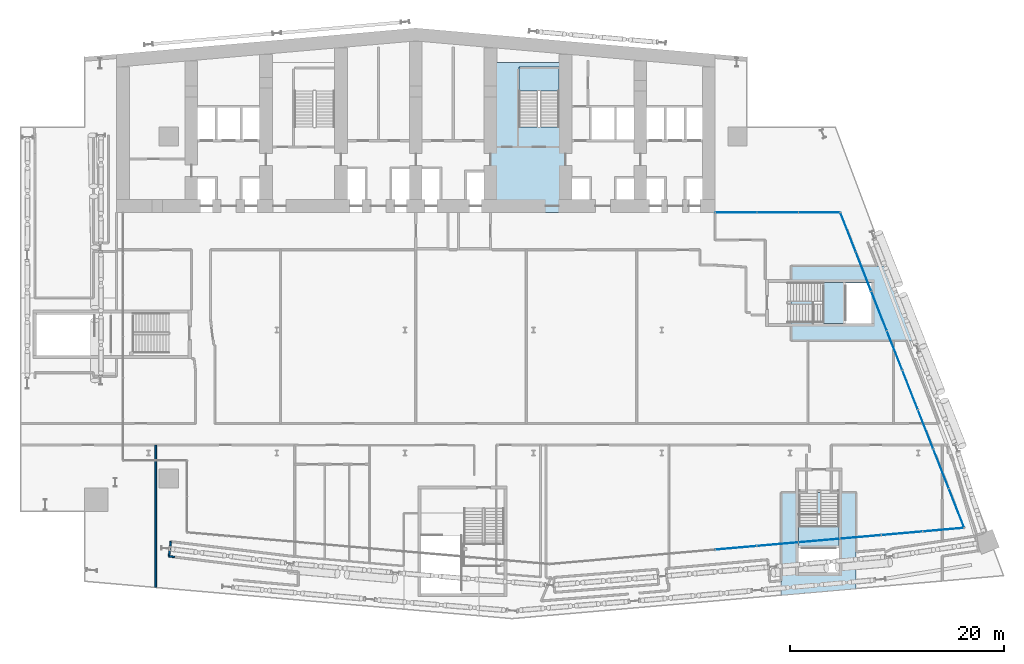
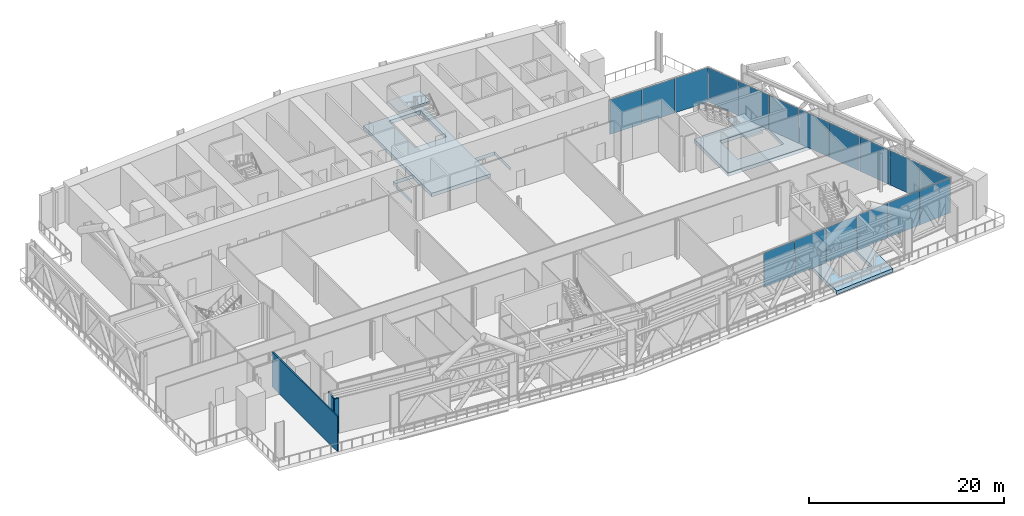
# One storey, part 14 of 39: 17 plates, 6 slabs, 3 walls, 6 elements without a shape of their own.
"""IFC4 building model written with IfcOpenShell, lengths in metres."""

from ifc_helpers import new_model, si_unit, direction, frame, frame_2d, origin, origin_2d, place, context, subcontext, project, spatial, polyline, rectangle, outline, extrude, material, layer, layer_set, type_object, element, aggregate, save


model = new_model("IFC4")

# Units and contexts
model_context = context("Model", 3, precision=1e-05, world=origin(), true_north=direction((0.0, 1.0)))
body_context = subcontext(model_context, "Body", "Model", "MODEL_VIEW")
ifc_project = project(units=[si_unit("LENGTHUNIT", "METRE"), si_unit("AREAUNIT", "SQUARE_METRE"), si_unit("VOLUMEUNIT", "CUBIC_METRE"), si_unit("PLANEANGLEUNIT", "RADIAN"), si_unit("MASSUNIT", "GRAM", prefix="KILO")], contexts=[model_context])

# Site, building, storey
site_placement = place(None, origin())
site = spatial("IfcSite", under=ifc_project, at=site_placement, CompositionType="ELEMENT")
building_placement = place(site_placement, origin())
building = spatial("IfcBuilding", under=site, at=building_placement, Name="Wharfspan Tower", CompositionType="ELEMENT")
storey_placement = place(building_placement, frame((0.0, 0.0, 91.899902)))
storey = spatial("IfcBuildingStorey", under=building, at=storey_placement, Name="L20", CompositionType="ELEMENT", Elevation=91.899902)

# Curtain wall, plates
ifc_material_1 = material(Name="Aluminium 6063-T6", Category="aluminium")
curtain_wall_type = type_object("IfcCurtainWallType", Name="CURTAIN WALL BAND RECESS", PredefinedType="NOTDEFINED", material=ifc_material_1)
curtain_wall_1_placement = place(storey_placement, origin())
curtain_wall_1 = element("IfcCurtainWall", 1, at=curtain_wall_1_placement, inside=storey, type_object=curtain_wall_type, Name="Recess glazing R3", PredefinedType="NOTDEFINED")
ifc_material_2 = material(Name="Glass clear low-iron double glazing", Category="glass")
ifc_layer_1 = layer(ifc_material_2, 0.035889)
ifc_layer_set_1 = layer_set([ifc_layer_1], Name="Glass clear low-iron double glazing")
plate_type_1 = type_object("IfcPlateType", Name="GLASS PANEL BAND RECESS 36", PredefinedType="CURTAIN_PANEL", material=ifc_layer_set_1)
plate_1_placement = place(storey_placement, frame((66.966553, 34.0, 0.0), z_axis=(0.0, 0.0, 1.0), x_axis=(1.0, 0.0, 0.0)))
plate_1 = element("IfcPlate", 2, at=plate_1_placement, type_object=plate_type_1, Name="Recess glazing R3 panel 1", PredefinedType="CURTAIN_PANEL", context=body_context, shape_type="SweptSolid", body=[
    extrude(rectangle(XDim=3.812744, YDim=0.035889, at=origin_2d()), origin(), (0.0, 0.0, 1.0), 4.330078),
])
plate_2_placement = place(storey_placement, frame((70.854248, 34.0, 0.0), z_axis=(0.0, 0.0, 1.0), x_axis=(1.0, 0.0, 0.0)))
plate_2 = element("IfcPlate", 3, at=plate_2_placement, type_object=plate_type_1, Name="Recess glazing R3 panel 2", PredefinedType="CURTAIN_PANEL", context=body_context, shape_type="SweptSolid", body=[
    extrude(rectangle(XDim=3.842773, YDim=0.035889, at=origin_2d()), origin(), (0.0, 0.0, 1.0), 4.330078),
])
plate_3_placement = place(storey_placement, frame((74.742188, 34.0, 0.0), z_axis=(0.0, 0.0, 1.0), x_axis=(1.0, 0.0, 0.0)))
plate_3 = element("IfcPlate", 4, at=plate_3_placement, type_object=plate_type_1, Name="Recess glazing R3 panel 3", PredefinedType="CURTAIN_PANEL", context=body_context, shape_type="SweptSolid", body=[
    extrude(rectangle(XDim=3.812744, YDim=0.035889, at=origin_2d()), origin(), (0.0, 0.0, 1.0), 4.330078),
])
aggregate(curtain_wall_1, [plate_1, plate_2, plate_3])

curtain_wall_2_placement = place(storey_placement, origin())
curtain_wall_2 = element("IfcCurtainWall", 5, at=curtain_wall_2_placement, inside=storey, type_object=curtain_wall_type, Name="Recess glazing R4", PredefinedType="NOTDEFINED")
plate_4_placement = place(storey_placement, frame((77.438965, 32.141357, 0.0), z_axis=(0.0, 0.0, 1.0), x_axis=(0.365778, -0.930702, 0.0)))
plate_4 = element("IfcPlate", 6, at=plate_4_placement, type_object=plate_type_1, Name="Recess glazing R4 panel 1", PredefinedType="CURTAIN_PANEL", context=body_context, shape_type="SweptSolid", body=[
    extrude(rectangle(XDim=3.873779, YDim=0.035889, at=origin_2d()), origin(), (0.0, 0.0, 1.0), 4.330078),
])
plate_5_placement = place(storey_placement, frame((78.883301, 28.466309, 0.0), z_axis=(0.0, 0.0, 1.0), x_axis=(0.365778, -0.930702, 0.0)))
plate_5 = element("IfcPlate", 7, at=plate_5_placement, type_object=plate_type_1, Name="Recess glazing R4 panel 2", PredefinedType="CURTAIN_PANEL", context=body_context, shape_type="SweptSolid", body=[
    extrude(rectangle(XDim=3.903809, YDim=0.035889, at=origin_2d()), origin(), (0.0, 0.0, 1.0), 4.330078),
])
plate_6_placement = place(storey_placement, frame((80.333252, 24.7771, 0.0), z_axis=(0.0, 0.0, 1.0), x_axis=(0.365778, -0.930702, 0.0)))
plate_6 = element("IfcPlate", 8, at=plate_6_placement, type_object=plate_type_1, Name="Recess glazing R4 panel 3", PredefinedType="CURTAIN_PANEL", context=body_context, shape_type="SweptSolid", body=[
    extrude(rectangle(XDim=3.903809, YDim=0.035889, at=origin_2d()), origin(), (0.0, 0.0, 1.0), 4.330078),
])
plate_7_placement = place(storey_placement, frame((81.783203, 21.088135, 0.0), z_axis=(0.0, 0.0, 1.0), x_axis=(0.365778, -0.930702, 0.0)))
plate_7 = element("IfcPlate", 9, at=plate_7_placement, type_object=plate_type_1, Name="Recess glazing R4 panel 4", PredefinedType="CURTAIN_PANEL", context=body_context, shape_type="SweptSolid", body=[
    extrude(rectangle(XDim=3.903809, YDim=0.035889, at=origin_2d()), origin(), (0.0, 0.0, 1.0), 4.330078),
])
plate_8_placement = place(storey_placement, frame((83.233154, 17.398926, 0.0), z_axis=(0.0, 0.0, 1.0), x_axis=(0.365778, -0.930702, 0.0)))
plate_8 = element("IfcPlate", 10, at=plate_8_placement, type_object=plate_type_1, Name="Recess glazing R4 panel 5", PredefinedType="CURTAIN_PANEL", context=body_context, shape_type="SweptSolid", body=[
    extrude(rectangle(XDim=3.903809, YDim=0.035889, at=origin_2d()), origin(), (0.0, 0.0, 1.0), 4.330078),
])
plate_9_placement = place(storey_placement, frame((84.682861, 13.709717, 0.0), z_axis=(0.0, 0.0, 1.0), x_axis=(0.365778, -0.930702, 0.0)))
plate_9 = element("IfcPlate", 11, at=plate_9_placement, type_object=plate_type_1, Name="Recess glazing R4 panel 6", PredefinedType="CURTAIN_PANEL", context=body_context, shape_type="SweptSolid", body=[
    extrude(rectangle(XDim=3.903809, YDim=0.035889, at=origin_2d()), origin(), (0.0, 0.0, 1.0), 4.330078),
])
plate_10_placement = place(storey_placement, frame((86.132812, 10.020508, 0.0), z_axis=(0.0, 0.0, 1.0), x_axis=(0.365778, -0.930702, 0.0)))
plate_10 = element("IfcPlate", 12, at=plate_10_placement, type_object=plate_type_1, Name="Recess glazing R4 panel 7", PredefinedType="CURTAIN_PANEL", context=body_context, shape_type="SweptSolid", body=[
    extrude(rectangle(XDim=3.903809, YDim=0.035889, at=origin_2d()), origin(), (0.0, 0.0, 1.0), 4.330078),
])

curtain_wall_3_placement = place(storey_placement, origin())
curtain_wall_3 = element("IfcCurtainWall", 13, at=curtain_wall_3_placement, inside=storey, type_object=curtain_wall_type, Name="Recess glazing R5", PredefinedType="NOTDEFINED")
plate_11_placement = place(storey_placement, frame((82.486572, 3.977539, 0.0), z_axis=(0.0, 0.0, 1.0), x_axis=(-0.996198, -0.087156, 0.0)))
plate_11 = element("IfcPlate", 14, at=plate_11_placement, type_object=plate_type_1, Name="Recess glazing R5 panel 2", PredefinedType="CURTAIN_PANEL", context=body_context, shape_type="SweptSolid", body=[
    extrude(rectangle(XDim=3.835693, YDim=0.035889, at=origin_2d()), origin(), (0.0, 0.0, 1.0), 4.330078),
])
plate_12_placement = place(storey_placement, frame((78.605713, 3.638184, 0.0), z_axis=(0.0, 0.0, 1.0), x_axis=(-0.996198, -0.087156, 0.0)))
plate_12 = element("IfcPlate", 15, at=plate_12_placement, type_object=plate_type_1, Name="Recess glazing R5 panel 3", PredefinedType="CURTAIN_PANEL", context=body_context, shape_type="SweptSolid", body=[
    extrude(rectangle(XDim=3.835693, YDim=0.035889, at=origin_2d()), origin(), (0.0, 0.0, 1.0), 4.330078),
])
plate_13_placement = place(storey_placement, frame((74.724854, 3.298584, 0.0), z_axis=(0.0, 0.0, 1.0), x_axis=(-0.996198, -0.087156, 0.0)))
plate_13 = element("IfcPlate", 16, at=plate_13_placement, type_object=plate_type_1, Name="Recess glazing R5 panel 4", PredefinedType="CURTAIN_PANEL", context=body_context, shape_type="SweptSolid", body=[
    extrude(rectangle(XDim=3.835693, YDim=0.035889, at=origin_2d()), origin(), (0.0, 0.0, 1.0), 4.330078),
])
plate_14_placement = place(storey_placement, frame((70.844238, 2.958984, 0.0), z_axis=(0.0, 0.0, 1.0), x_axis=(-0.996198, -0.087156, 0.0)))
plate_14 = element("IfcPlate", 17, at=plate_14_placement, type_object=plate_type_1, Name="Recess glazing R5 panel 5", PredefinedType="CURTAIN_PANEL", context=body_context, shape_type="SweptSolid", body=[
    extrude(rectangle(XDim=3.835693, YDim=0.035889, at=origin_2d()), origin(), (0.0, 0.0, 1.0), 4.330078),
])
plate_15_placement = place(storey_placement, frame((66.963379, 2.619629, 0.0), z_axis=(0.0, 0.0, 1.0), x_axis=(-0.996198, -0.087156, 0.0)))
plate_15 = element("IfcPlate", 18, at=plate_15_placement, type_object=plate_type_1, Name="Recess glazing R5 panel 6", PredefinedType="CURTAIN_PANEL", context=body_context, shape_type="SweptSolid", body=[
    extrude(rectangle(XDim=3.835693, YDim=0.035889, at=origin_2d()), origin(), (0.0, 0.0, 1.0), 4.330078),
])

# Plate
ifc_material_3 = material(Name="Aluminium composite opaque insulated panel", Category="aluminium")
ifc_layer_2 = layer(ifc_material_3, 0.035889)
ifc_layer_set_2 = layer_set([ifc_layer_2], Name="Aluminium composite opaque insulated panel")
plate_type_2 = type_object("IfcPlateType", Name="INFILL PANEL BAND RECESS OPAQUE 36", PredefinedType="SHEET", material=ifc_layer_set_2)
plate_16_placement = place(storey_placement, frame((87.577148, 6.345459, 0.0), z_axis=(0.0, 0.0, 1.0), x_axis=(0.365778, -0.930702, 0.0)))
plate_16 = element("IfcPlate", 19, at=plate_16_placement, type_object=plate_type_2, Name="Recess glazing R4 panel 8", PredefinedType="SHEET", context=body_context, shape_type="SweptSolid", body=[
    extrude(rectangle(XDim=3.873779, YDim=0.035889, at=origin_2d()), origin(), (0.0, 0.0, 1.0), 4.330078),
])

aggregate(curtain_wall_2, [plate_4, plate_5, plate_6, plate_7, plate_8, plate_9, plate_10, plate_16])

plate_17_placement = place(storey_placement, frame((86.352295, 4.315918, 0.0), z_axis=(0.0, 0.0, 1.0), x_axis=(-0.996198, -0.087156, 0.0)))
plate_17 = element("IfcPlate", 20, at=plate_17_placement, type_object=plate_type_2, Name="Recess glazing R5 panel 1", PredefinedType="SHEET", context=body_context, shape_type="SweptSolid", body=[
    extrude(rectangle(XDim=3.805664, YDim=0.035889, at=origin_2d()), origin(), (0.0, 0.0, 1.0), 4.330078),
])

aggregate(curtain_wall_3, [plate_17, plate_11, plate_12, plate_13, plate_14, plate_15])

# Slabs
ifc_material_4 = material(Name="Concrete C40/50", Category="concrete")
ifc_layer_3 = layer(ifc_material_4, 0.449951)
ifc_layer_set_3 = layer_set([ifc_layer_3], Name="Concrete C40/50")
slab_type_1 = type_object("IfcSlabType", Name="Post-tensioned flat slab 450", PredefinedType="FLOOR", material=ifc_layer_set_3)
slab_1_placement = place(storey_placement, frame((0.0, 0.0, -0.450195)))
element("IfcSlab", 21, at=slab_1_placement, inside=storey, type_object=slab_type_1, Name="Core floor slab L20 part 4", PredefinedType="FLOOR", context=body_context, shape_type="SweptSolid", body=[
    extrude(outline(polyline([(53.341309, 34.0), (53.341309, 37.258057), (51.01001, 37.258057), (51.009766, 37.258057), (51.009521, 37.258057), (51.009521, 37.258057), (51.009277, 37.258301), (51.009033, 37.258301), (51.008789, 37.258301), (51.008789, 37.258545), (51.008545, 37.258545), (51.008545, 37.258789), (51.008301, 37.258789), (51.008301, 37.259033), (51.008301, 37.259277), (51.008057, 37.259521), (51.008057, 37.259521), (51.008057, 37.259766), (51.008057, 37.26001), (51.008057, 48.008057), (43.991943, 48.008057), (43.991943, 37.860107), (43.991943, 37.859863), (43.991943, 37.859619), (43.991943, 37.859375), (43.991699, 37.859131), (43.991699, 37.859131), (43.991699, 37.858887), (43.991455, 37.858643), (43.991455, 37.858643), (43.991211, 37.858398), (43.991211, 37.858398), (43.990967, 37.858154), (43.990723, 37.858154), (43.990479, 37.858154), (43.990479, 37.85791), (43.990234, 37.85791), (43.98999, 37.85791), (41.658691, 37.85791), (41.658691, 34.0), (41.664795, 34.0), (41.664795, 37.850098), (41.664795, 37.850098), (41.664795, 37.850342), (41.664795, 37.850586), (41.664795, 37.85083), (41.664795, 37.85083), (41.665039, 37.851074), (41.665039, 37.851318), (41.665283, 37.851318), (41.665283, 37.851562), (41.665527, 37.851807), (41.665771, 37.851807), (41.666016, 37.851807), (41.666016, 37.851807), (41.66626, 37.852051), (41.666504, 37.852051), (41.666748, 37.852051), (44.0, 37.852051), (44.000244, 37.852051), (44.000488, 37.852051), (44.000488, 37.851807), (44.000732, 37.851807), (44.000977, 37.851807), (44.001221, 37.851807), (44.001221, 37.851562), (44.001465, 37.851318), (44.001465, 37.851318), (44.001709, 37.851074), (44.001709, 37.85083), (44.001709, 37.85083), (44.001953, 37.850586), (44.001953, 37.850342), (44.001953, 37.850098), (44.001953, 37.850098), (44.001953, 34.0), (50.998047, 34.0), (50.998047, 37.25), (50.998047, 37.250244), (50.998047, 37.250488), (50.998047, 37.250488), (50.998291, 37.250732), (50.998291, 37.250977), (50.998291, 37.251221), (50.998535, 37.251221), (50.998535, 37.251465), (50.998779, 37.251465), (50.998779, 37.251709), (50.999023, 37.251709), (50.999268, 37.251709), (50.999512, 37.251953), (50.999512, 37.251953), (50.999756, 37.251953), (51.0, 37.251953), (53.333252, 37.251953), (53.333496, 37.251953), (53.33374, 37.251953), (53.333984, 37.251953), (53.333984, 37.251709), (53.334229, 37.251709), (53.334473, 37.251709), (53.334717, 37.251465), (53.334717, 37.251465), (53.334961, 37.251221), (53.334961, 37.251221), (53.335205, 37.250977), (53.335205, 37.250732), (53.335205, 37.250488), (53.335205, 37.250488), (53.335205, 37.250244), (53.335205, 37.25), (53.335205, 34.0), (53.341309, 34.0)]), holes=[polyline([(46.649902, 41.998047), (46.649902, 41.998047), (46.649658, 41.998047), (46.649414, 41.998047), (46.64917, 41.998291), (46.64917, 41.998291), (46.648926, 41.998291), (46.648682, 41.998535), (46.648682, 41.998535), (46.648438, 41.998779), (46.648193, 41.998779), (46.648193, 41.999023), (46.648193, 41.999268), (46.648193, 41.999512), (46.647949, 41.999512), (46.647949, 41.999756), (46.647949, 42.0), (46.647949, 47.399902), (46.647949, 47.400146), (46.647949, 47.400391), (46.648193, 47.400635), (46.648193, 47.400879), (46.648193, 47.400879), (46.648193, 47.401123), (46.648438, 47.401367), (46.648682, 47.401367), (46.648682, 47.401611), (46.648926, 47.401611), (46.64917, 47.401855), (46.64917, 47.401855), (46.649414, 47.401855), (46.649658, 47.4021), (46.649902, 47.4021), (46.649902, 47.4021), (50.399902, 47.4021), (50.400146, 47.4021), (50.400391, 47.4021), (50.400635, 47.401855), (50.400879, 47.401855), (50.400879, 47.401855), (50.401123, 47.401611), (50.401367, 47.401611), (50.401367, 47.401367), (50.401611, 47.401367), (50.401611, 47.401123), (50.401855, 47.400879), (50.401855, 47.400879), (50.401855, 47.400635), (50.4021, 47.400391), (50.4021, 47.400146), (50.4021, 47.399902), (50.4021, 42.0), (50.4021, 41.999756), (50.4021, 41.999512), (50.401855, 41.999512), (50.401855, 41.999268), (50.401855, 41.999023), (50.401611, 41.998779), (50.401611, 41.998779), (50.401367, 41.998535), (50.401367, 41.998535), (50.401123, 41.998291), (50.400879, 41.998291), (50.400879, 41.998291), (50.400635, 41.998047), (50.400391, 41.998047), (50.400146, 41.998047), (50.399902, 41.998047), (46.649902, 41.998047)])]), origin(), (0.0, 0.0, 1.0), 0.450195),
])
slab_2_placement = place(storey_placement, frame((0.0, 0.0, -0.450195)))
element("IfcSlab", 22, at=slab_2_placement, inside=storey, type_object=slab_type_1, Name="Core floor slab L20 part 5", PredefinedType="FLOOR", context=body_context, shape_type="SweptSolid", body=[
    extrude(outline(polyline([(76.891113, 7.800049), (72.541016, 7.800049), (72.541016, 7.791992), (72.517578, 7.791992), (71.192383, 7.791992), (71.192383, -1.820312), (78.192383, -1.208008), (78.192383, 7.791992), (76.891113, 7.791992), (76.891113, 7.800049)]), holes=[polyline([(76.567383, 5.694092), (76.567627, 5.694092), (76.567871, 5.694092), (76.568115, 5.693848), (76.568115, 5.693848), (76.568359, 5.693848), (76.568604, 5.693604), (76.568604, 5.693604), (76.568848, 5.693359), (76.569092, 5.693359), (76.569092, 5.693115), (76.569092, 5.692871), (76.569336, 5.692871), (76.569336, 5.692627), (76.569336, 5.692383), (76.56958, 5.692139), (76.56958, 5.691895), (76.56958, 0.291992), (76.56958, 0.291748), (76.569336, 0.291504), (76.569336, 0.291504), (76.569336, 0.29126), (76.569092, 0.291016), (76.569092, 0.291016), (76.569092, 0.290771), (76.568848, 0.290527), (76.568604, 0.290527), (76.568604, 0.290283), (76.568359, 0.290283), (76.568115, 0.290283), (76.568115, 0.290039), (76.567871, 0.290039), (76.567627, 0.290039), (76.567383, 0.290039), (72.817383, 0.290039), (72.817383, 0.290039), (72.817139, 0.290039), (72.816895, 0.290039), (72.81665, 0.290283), (72.816406, 0.290283), (72.816406, 0.290283), (72.816162, 0.290527), (72.816162, 0.290527), (72.815918, 0.290771), (72.815918, 0.291016), (72.815674, 0.291016), (72.815674, 0.29126), (72.815674, 0.291504), (72.81543, 0.291504), (72.81543, 0.291748), (72.81543, 0.291992), (72.81543, 5.691895), (72.81543, 5.692139), (72.81543, 5.692383), (72.815674, 5.692627), (72.815674, 5.692871), (72.815674, 5.692871), (72.815918, 5.693115), (72.815918, 5.693359), (72.816162, 5.693359), (72.816162, 5.693604), (72.816406, 5.693604), (72.816406, 5.693848), (72.81665, 5.693848), (72.816895, 5.693848), (72.817139, 5.694092), (72.817383, 5.694092), (72.817383, 5.694092), (76.567383, 5.694092)])]), origin(), (0.0, 0.0, 1.0), 0.450195),
])
slab_3_placement = place(storey_placement, frame((0.0, 0.0, -0.450195)))
element("IfcSlab", 23, at=slab_3_placement, inside=storey, type_object=slab_type_1, Name="Core floor slab L20 part 6", PredefinedType="FLOOR", context=body_context, shape_type="SweptSolid", body=[
    extrude(outline(polyline([(83.75, 22.0), (81.125, 29.0), (72.125, 29.0), (72.125, 27.725098), (72.116943, 27.725098), (72.116943, 23.375), (72.125, 23.375), (72.125, 23.324951), (72.125, 22.0), (83.75, 22.0)]), holes=[polyline([(74.2229, 27.375), (74.2229, 27.375244), (74.2229, 27.375488), (74.223145, 27.375488), (74.223145, 27.375732), (74.223145, 27.375977), (74.223389, 27.376221), (74.223389, 27.376221), (74.223633, 27.376465), (74.223633, 27.376465), (74.223877, 27.376709), (74.224121, 27.376709), (74.224121, 27.376709), (74.224365, 27.376953), (74.224609, 27.376953), (74.224854, 27.376953), (74.225098, 27.376953), (79.625, 27.376953), (79.625244, 27.376953), (79.625488, 27.376953), (79.625488, 27.376953), (79.625732, 27.376709), (79.625977, 27.376709), (79.626221, 27.376709), (79.626221, 27.376465), (79.626465, 27.376465), (79.626465, 27.376221), (79.626709, 27.376221), (79.626709, 27.375977), (79.626709, 27.375732), (79.626953, 27.375488), (79.626953, 27.375488), (79.626953, 27.375244), (79.626953, 27.375), (79.626953, 23.625), (79.626953, 23.624756), (79.626953, 23.624512), (79.626953, 23.624512), (79.626709, 23.624268), (79.626709, 23.624023), (79.626709, 23.623779), (79.626465, 23.623779), (79.626465, 23.623535), (79.626221, 23.623535), (79.626221, 23.623291), (79.625977, 23.623291), (79.625732, 23.623291), (79.625488, 23.623047), (79.625488, 23.623047), (79.625244, 23.623047), (79.625, 23.623047), (74.225098, 23.623047), (74.224854, 23.623047), (74.224609, 23.623047), (74.224365, 23.623047), (74.224121, 23.623291), (74.224121, 23.623291), (74.223877, 23.623291), (74.223633, 23.623535), (74.223633, 23.623535), (74.223389, 23.623779), (74.223389, 23.623779), (74.223145, 23.624023), (74.223145, 23.624268), (74.223145, 23.624512), (74.2229, 23.624512), (74.2229, 23.624756), (74.2229, 23.625), (74.2229, 27.375)])]), origin(), (0.0, 0.0, 1.0), 0.450195),
])

# Stair, slab
stair_type = type_object("IfcStairType", Name="Half-turn stair 26 risers 185 mm", PredefinedType="HALF_TURN_STAIR", material=ifc_material_4)
stair_1_placement = place(storey_placement, origin())
stair_1 = element("IfcStair", 24, at=stair_1_placement, inside=storey, type_object=stair_type, Name="L20 stair ST2", PredefinedType="HALF_TURN_STAIR")
ifc_layer_4 = layer(ifc_material_4, 0.199951)
ifc_layer_set_4 = layer_set([ifc_layer_4], Name="Concrete C40/50")
slab_type_2 = type_object("IfcSlabType", Name="Stair landing 200", PredefinedType="LANDING", material=ifc_layer_set_4)
slab_4_placement = place(storey_placement, frame((0.0, 0.0, 2.199951)))
slab_4 = element("IfcSlab", 25, at=slab_4_placement, type_object=slab_type_2, Name="ST2 landing 1", PredefinedType="LANDING", context=body_context, shape_type="SweptSolid", body=[
    extrude(outline(polyline([(46.649902, 45.360107), (50.399902, 45.360107), (50.399902, 47.582764), (46.649902, 47.582764), (46.649902, 45.360107)])), origin(), (0.0, 0.0, 1.0), 0.200195),
])
aggregate(stair_1, [slab_4])

stair_2_placement = place(storey_placement, origin())
stair_2 = element("IfcStair", 26, at=stair_2_placement, inside=storey, type_object=stair_type, Name="L20 stair ST5", PredefinedType="HALF_TURN_STAIR")
slab_5_placement = place(storey_placement, frame((0.0, 0.0, 2.199951)))
slab_5 = element("IfcSlab", 27, at=slab_5_placement, type_object=slab_type_2, Name="ST5 landing 1", PredefinedType="LANDING", context=body_context, shape_type="SweptSolid", body=[
    extrude(outline(polyline([(72.817383, 2.594727), (76.591064, 2.594727), (76.591064, 4.634766), (72.817383, 4.634766), (72.817383, 2.594727)])), origin(), (0.0, 0.0, 1.0), 0.200195),
])
aggregate(stair_2, [slab_5])

stair_3_placement = place(storey_placement, origin())
stair_3 = element("IfcStair", 28, at=stair_3_placement, inside=storey, type_object=stair_type, Name="L20 stair ST6", PredefinedType="HALF_TURN_STAIR")
slab_6_placement = place(storey_placement, frame((0.0, 0.0, 2.199951)))
slab_6 = element("IfcSlab", 29, at=slab_6_placement, type_object=slab_type_2, Name="ST6 landing 1", PredefinedType="LANDING", context=body_context, shape_type="SweptSolid", body=[
    extrude(outline(polyline([(75.150391, 23.625), (77.19043, 23.625), (77.19043, 27.425049), (75.150391, 27.425049), (75.150391, 23.625)])), origin(), (0.0, 0.0, 1.0), 0.200195),
])
aggregate(stair_3, [slab_6])

# Walls
ifc_material_5 = material(Name="Gypsum board on steel studs", Category="steel")
ifc_layer_5 = layer(ifc_material_5, 0.149902)
ifc_layer_set_5 = layer_set([ifc_layer_5], Name="Gypsum board on steel studs")
wall_type = type_object("IfcWallType", Name="Plant room wall 150 EI 120", PredefinedType="PARTITIONING", material=ifc_layer_set_5)
wall_1_placement = place(storey_placement, frame((12.669922, -1.088379, 0.0), z_axis=(0.0, 0.0, 1.0), x_axis=(0.0, 1.0, 0.0)))
element("IfcWall", 30, at=wall_1_placement, inside=storey, type_object=wall_type, Name="Partition L20.w020", PredefinedType="PARTITIONING", context=body_context, shape_type="SweptSolid", body=[
    extrude(rectangle(XDim=13.323486, YDim=0.149902, at=frame_2d((6.661621, 0.0))), origin(), (0.0, 0.0, 1.0), 4.400146),
])
wall_2_placement = place(storey_placement, frame((13.909912, 1.824951, 0.0), z_axis=(0.0, 0.0, 1.0), x_axis=(0.121503, 0.992594, 0.0)))
element("IfcWall", 31, at=wall_2_placement, inside=storey, type_object=wall_type, Name="Partition L20.w021", PredefinedType="PARTITIONING", context=body_context, shape_type="SweptSolid", body=[
    extrude(rectangle(XDim=1.400635, YDim=0.149902, at=frame_2d((0.700195, 0.0))), origin(), (0.0, 0.0, 1.0), 4.400146),
])
wall_3_placement = place(storey_placement, frame((14.429932, 1.76001, 0.0), z_axis=(0.0, 0.0, 1.0), x_axis=(-0.992292, 0.12392, 0.0)))
element("IfcWall", 32, at=wall_3_placement, inside=storey, type_object=wall_type, Name="Partition L20.w022", PredefinedType="PARTITIONING", context=body_context, shape_type="SweptSolid", body=[
    extrude(rectangle(XDim=0.52417, YDim=0.149902, at=frame_2d((0.262207, 0.0))), origin(), (0.0, 0.0, 1.0), 4.400146),
])

save(model, "model.ifc")
